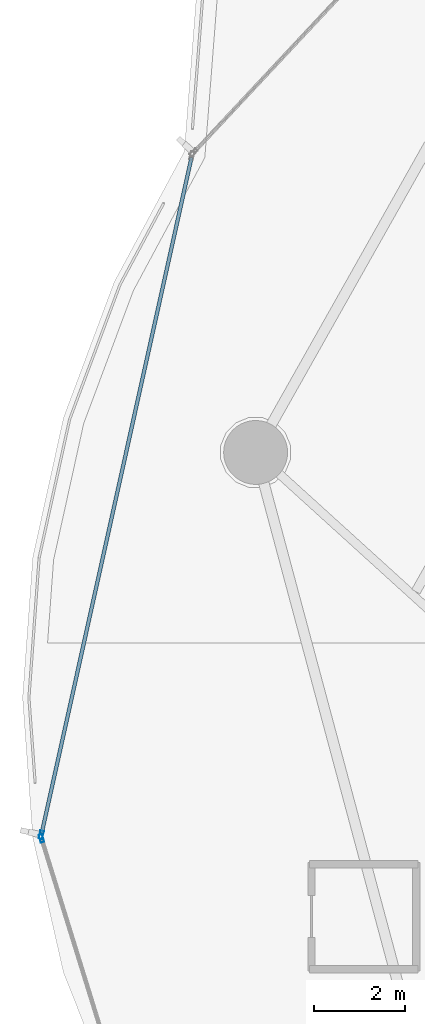
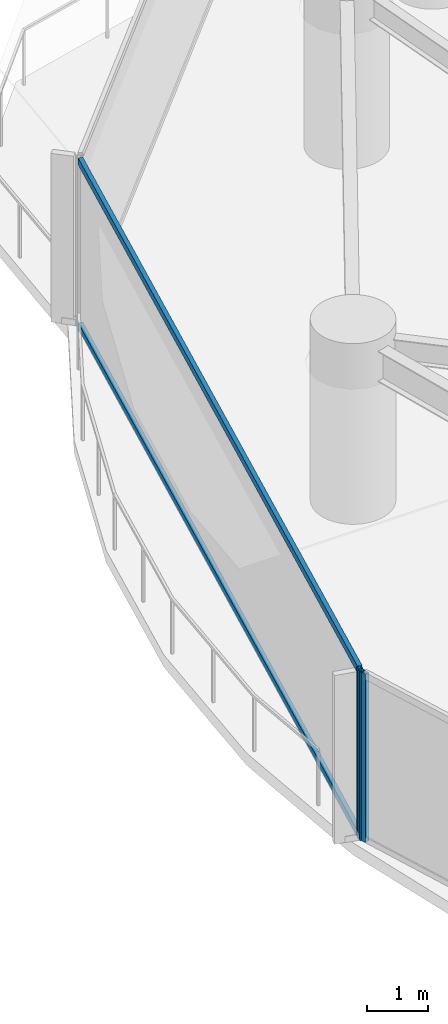
# One storey, part 8 of 34: 4 members, 2 elements without a shape of their own.
"""IFC4 building model written with IfcOpenShell, lengths in metres."""

from ifc_helpers import new_model, si_unit, direction, frame, origin, origin_2d, place, context, subcontext, project, spatial, hollow_rectangle, extrude, material, layer, layer_set, material_profile, profile_set, type_object, element, aggregate, save


model = new_model("IFC4")

# Units and contexts
model_context = context("Model", 3, precision=1e-05, world=origin(), true_north=direction((0.0, 1.0)))
body_context = subcontext(model_context, "Body", "Model", "MODEL_VIEW")
ifc_project = project(units=[si_unit("LENGTHUNIT", "METRE"), si_unit("AREAUNIT", "SQUARE_METRE"), si_unit("VOLUMEUNIT", "CUBIC_METRE"), si_unit("PLANEANGLEUNIT", "RADIAN"), si_unit("MASSUNIT", "GRAM", prefix="KILO")], contexts=[model_context])

# Site, building, storey
site_placement = place(None, origin())
site = spatial("IfcSite", under=ifc_project, at=site_placement, CompositionType="ELEMENT")
building_placement = place(site_placement, origin())
building = spatial("IfcBuilding", under=site, at=building_placement, Name="Kazevale Care Tower and Concert Hall", CompositionType="ELEMENT")
storey_placement = place(building_placement, frame((0.0, 0.0, 67.199951171875)))
storey = spatial("IfcBuildingStorey", under=building, at=storey_placement, Name="L17", CompositionType="ELEMENT", Elevation=67.199951171875)

# Curtain wall, member
ifc_material_1 = material(Name="Aluminium 6063-T6 and Low-E Glass", Category="aluminium")
ifc_layer = layer(ifc_material_1, 0.179931640625)
ifc_layer_set = layer_set([ifc_layer], Name="Aluminium 6063-T6 and Low-E Glass")
curtain_wall_type = type_object("IfcCurtainWallType", Name="Waist & Upper Residential Curtain Wall CW-4", PredefinedType="NOTDEFINED", material=ifc_layer_set)
curtain_wall_1_placement = place(storey_placement, origin())
curtain_wall_1 = element("IfcCurtainWall", 1, at=curtain_wall_1_placement, inside=storey, type_object=curtain_wall_type, Name="cw:L17:f12", PredefinedType="NOTDEFINED")
ifc_material_2 = material(Name="Aluminium 6063-T6", Category="aluminium")
ifc_material_profile_1 = material_profile(ifc_material_2, hollow_rectangle(XDim=0.080078125, YDim=0.179931640625, WallThickness=0.0048828125, at=origin_2d()), Name="ALU80x180x5")
ifc_profile_set_1 = profile_set([ifc_material_profile_1], Name="Aluminium 6063-T6")
member_type_1 = type_object("IfcMemberType", Name="CW-4 Mullion ALU80x180x5", PredefinedType="MULLION", material=ifc_profile_set_1)
member_1_placement = place(storey_placement, frame((9.61572265625, 34.919677734375, 0.0), z_axis=(0.0, 0.0, 1.0), x_axis=(-0.955157326175, -0.296098771112, 0.0)))
member_1 = element("IfcMember", 2, at=member_1_placement, type_object=member_type_1, Name="CW-4 mullion 2", PredefinedType="MULLION", context=body_context, shape_type="SweptSolid", body=[
    extrude(hollow_rectangle(XDim=0.080078125, YDim=0.179931640625, WallThickness=0.0048828125, at=origin_2d()), origin(), (0.0, 0.0, 1.0), 3.360107421875),
])
aggregate(curtain_wall_1, [member_1])

# Curtain wall, members
curtain_wall_2_placement = place(storey_placement, origin())
curtain_wall_2 = element("IfcCurtainWall", 3, at=curtain_wall_2_placement, inside=storey, type_object=curtain_wall_type, Name="cw:L17:f13", PredefinedType="NOTDEFINED")
member_2_placement = place(storey_placement, frame((9.612548828125, 34.9970703125, 0.0), z_axis=(0.0, 0.0, 1.0), x_axis=(-0.976291328475, 0.216460716862, 0.0)))
member_2 = element("IfcMember", 4, at=member_2_placement, type_object=member_type_1, Name="CW-4 mullion 1", PredefinedType="MULLION", context=body_context, shape_type="SweptSolid", body=[
    extrude(hollow_rectangle(XDim=0.080078125, YDim=0.179931640625, WallThickness=0.0048828125, at=origin_2d()), origin(), (0.0, 0.0, 1.0), 3.360107421875),
])
ifc_material_profile_2 = material_profile(ifc_material_2, hollow_rectangle(XDim=0.080078125, YDim=0.139892578125, WallThickness=0.00390625, at=origin_2d()), Name="ALU80x140x4")
ifc_profile_set_2 = profile_set([ifc_material_profile_2], Name="Aluminium 6063-T6")
member_type_2 = type_object("IfcMemberType", Name="CW-4 Transom ALU80x140x4", PredefinedType="USERDEFINED", material=ifc_profile_set_2)
member_3_placement = place(storey_placement, frame((9.621337890625, 35.0361328125, 0.0400390625), z_axis=(0.216465185417, 0.976290337708, 0.0), x_axis=(-0.976290337708, 0.216465185417, 0.0)))
member_3 = element("IfcMember", 5, at=member_3_placement, type_object=member_type_2, Name="CW-4 transom 1.1", ObjectType="TRANSOM", PredefinedType="USERDEFINED", context=body_context, shape_type="SweptSolid", body=[
    extrude(hollow_rectangle(XDim=0.080078125, YDim=0.139892578125, WallThickness=0.00390625, at=origin_2d()), origin(), (0.0, 0.0, 1.0), 15.16845703125),
])
member_4_placement = place(storey_placement, frame((9.621337890625, 35.0361328125, 3.320068359375), z_axis=(0.216465185417, 0.976290337708, 0.0), x_axis=(-0.976290337708, 0.216465185417, 0.0)))
member_4 = element("IfcMember", 6, at=member_4_placement, type_object=member_type_2, Name="CW-4 transom 1.2", ObjectType="TRANSOM", PredefinedType="USERDEFINED", context=body_context, shape_type="SweptSolid", body=[
    extrude(hollow_rectangle(XDim=0.080078125, YDim=0.139892578125, WallThickness=0.00390625, at=origin_2d()), origin(), (0.0, 0.0, 1.0), 15.16845703125),
])
aggregate(curtain_wall_2, [member_2, member_3, member_4])

save(model, "model.ifc")
